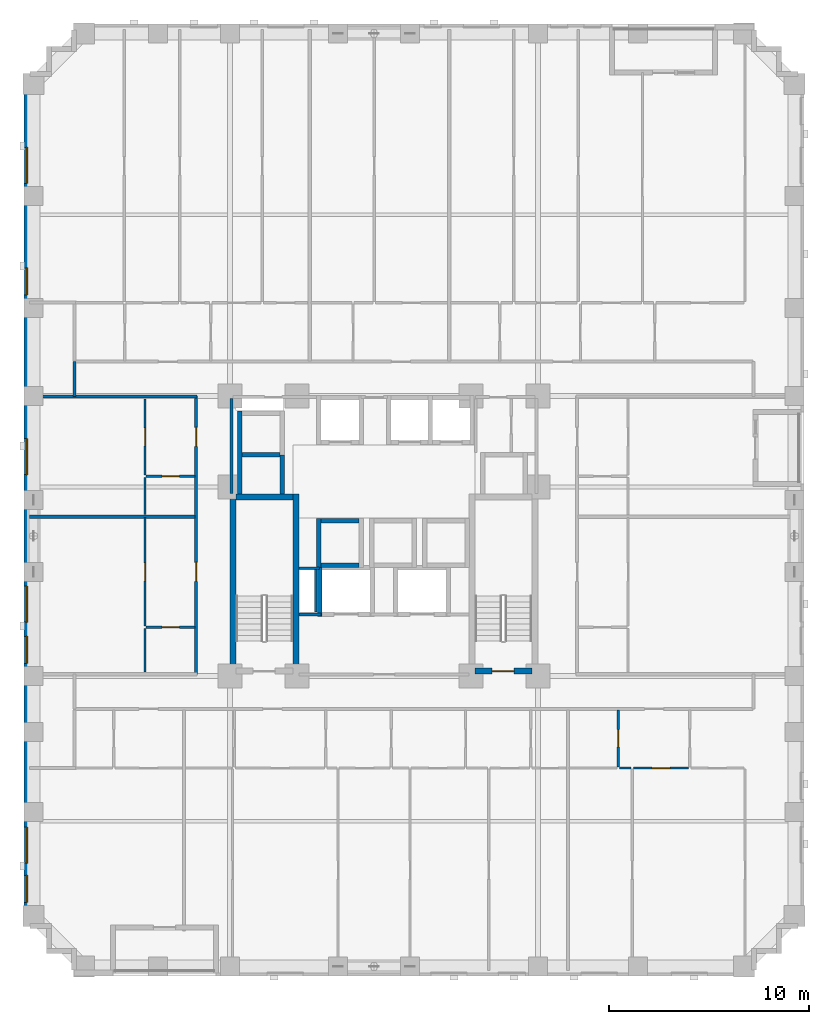
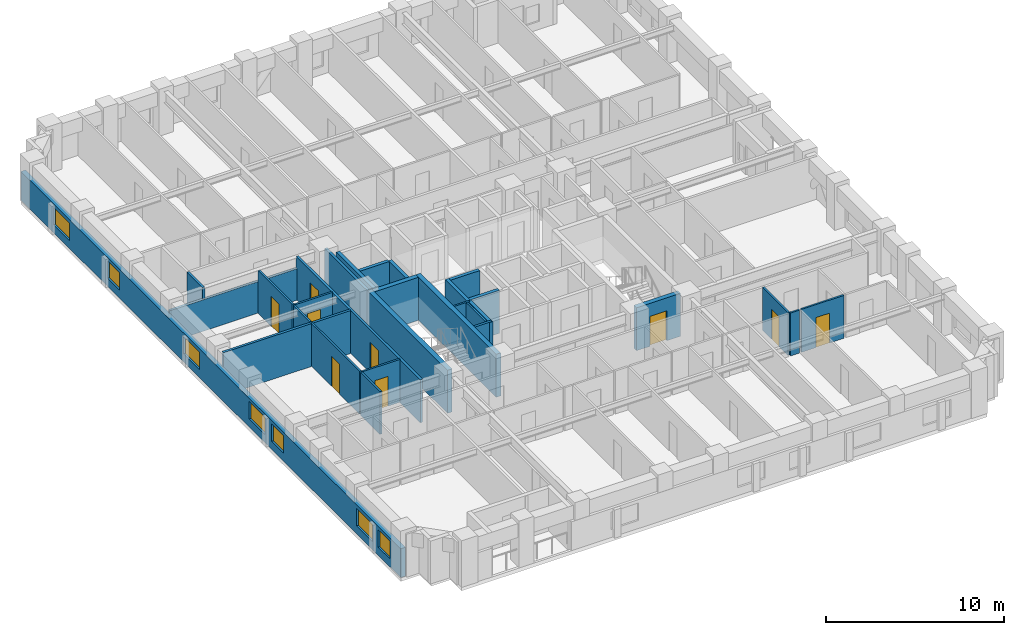
# One storey, part 4 of 13: 29 walls, 9 doors, 7 windows, 16 openings.
"""IFC4 building model written with IfcOpenShell, lengths in metres."""

from ifc_helpers import new_model, si_unit, derived_unit, direction, frame, frame_2d, origin, place, context, subcontext, project, spatial, rectangle, extrude, material, layer, layer_set, type_object, element, fill, save


model = new_model("IFC4")

# Units and contexts
model_context = context("Model", 3, precision=1e-05, world=origin(), true_north=direction((0.0, 1.0)))
body_context = subcontext(model_context, "Body", "Model", "MODEL_VIEW")
ifc_project = project(units=[si_unit("LENGTHUNIT", "METRE"), si_unit("AREAUNIT", "SQUARE_METRE"), si_unit("VOLUMEUNIT", "CUBIC_METRE"), si_unit("PLANEANGLEUNIT", "RADIAN"), si_unit("MASSUNIT", "GRAM", prefix="KILO"), derived_unit("THERMALTRANSMITTANCEUNIT", [(si_unit("MASSUNIT", "GRAM", prefix="KILO"), 1), (si_unit("TIMEUNIT", "SECOND"), -3), (si_unit("THERMODYNAMICTEMPERATUREUNIT", "KELVIN"), -1)])], contexts=[model_context])

# Site, building, storey
site_placement = place(None, origin())
site = spatial("IfcSite", under=ifc_project, at=site_placement, CompositionType="ELEMENT")
building_placement = place(site_placement, origin())
building = spatial("IfcBuilding", under=site, at=building_placement, Name="Korrvale Station Residences", CompositionType="ELEMENT")
storey_placement = place(building_placement, frame((0.0, 0.0, 35.39990234375)))
storey = spatial("IfcBuildingStorey", under=building, at=storey_placement, Name="L08", CompositionType="ELEMENT", Elevation=35.39990234375)

# Walls
ifc_material_1 = material(Name="Concrete C70/85", Category="concrete")
ifc_layer_1 = layer(ifc_material_1, 0.300048828125, Name="Concrete C70/85")
ifc_layer_set_1 = layer_set([ifc_layer_1], Name="Concrete C70/85")
wall_type_1 = type_object("IfcWallType", Name="WAL-CORE-300-C70", PredefinedType="SHEAR", material=ifc_layer_set_1)
for number, where, z_axis, x_axis, name in (
    (1, (17.949951171875, 15.10009765625, 0.0), (0.0, 0.0, 1.0), (0.0, 1.0, 0.0), "L08 ST-1 Core Shear Wall West"),
    (2, (21.10009765625, 15.10009765625, 0.0), (0.0, 0.0, 1.0), (0.0, 1.0, 0.0), "L08 ST-1 Core Shear Wall East"),
):
    element("IfcWall", number, at=place(storey_placement, frame(where, z_axis=z_axis, x_axis=x_axis)), inside=storey, type_object=wall_type_1, Name=name, PredefinedType="SHEAR", context=body_context, shape_type="SweptSolid", body=[
        extrude(rectangle(XDim=9.0, YDim=0.300048828125, at=frame_2d((4.5, 0.0))), origin(), (0.0, 0.0, 1.0), 2.940185546875),
    ])
wall_1_placement = place(storey_placement, frame((18.10009765625, 23.949951171875, 0.0), z_axis=(0.0, 0.0, 1.0), x_axis=(1.0, 0.0, 0.0)))
element("IfcWall", 3, at=wall_1_placement, inside=storey, type_object=wall_type_1, Name="L08 ST-1 Core Shear Wall North", PredefinedType="SHEAR", context=body_context, shape_type="SweptSolid", body=[
    extrude(rectangle(XDim=2.849853515625, YDim=0.300048828125, at=frame_2d((1.4248046875, 0.0))), origin(), (0.0, 0.0, 1.0), 2.940185546875),
])

# Wall, opening, door
wall_2_placement = place(storey_placement, frame((30.050048828125, 15.25, 0.0), z_axis=(0.0, 0.0, 1.0), x_axis=(1.0, 0.0, 0.0)))
wall_2 = element("IfcWall", 4, at=wall_2_placement, inside=storey, type_object=wall_type_1, Name="L08 ST-2 Core Shear Wall South", PredefinedType="SHEAR", context=body_context, shape_type="SweptSolid", body=[
    extrude(rectangle(XDim=2.849853515625, YDim=0.300048828125, at=frame_2d((1.4248046875, 0.0))), origin(), (0.0, 0.0, 1.0), 2.940185546875),
])
opening_1_placement = place(wall_2_placement, frame((0.860107421875, 0.0, 0.0)))
opening_1 = element("IfcOpeningElement", 5, at=opening_1_placement, cuts=wall_2, Name="Opening SD-1100", PredefinedType="OPENING", context=body_context, shape_type="SweptSolid", body=[
    extrude(rectangle(XDim=1.10009765625, YDim=2.050048828125, at=frame_2d((0.550048828125, 1.02490234375))), frame((0.0, 0.16015625, 0.0), z_axis=(0.0, -1.0, 0.0), x_axis=(1.0, 0.0, 0.0)), (0.0, 0.0, 1.0), 0.320068359375),
])
ifc_material_2 = material(Name="Hollow-metal fire-rated stair door with closer", Category="steel")
door_type_1 = type_object("IfcDoorType", Name="DR-STAIR-1100", OperationType="NOTDEFINED", PredefinedType="DOOR", material=ifc_material_2)
door_1_placement = place(opening_1_placement, origin())
door_1 = element("IfcDoor", 6, at=door_1_placement, inside=storey, type_object=door_type_1, Name="L08 ST-2 Exit Stair Door", OperationType="SINGLE_SWING_RIGHT", OverallHeight=2.050048828125, OverallWidth=1.10009765625, PredefinedType="DOOR", context=body_context, shape_type="SweptSolid", body=[
    extrude(rectangle(XDim=1.10009765625, YDim=2.050048828125, at=frame_2d((0.550048828125, 1.02490234375))), frame((0.0, 0.02490234375, 0.0), z_axis=(0.0, -1.0, 0.0), x_axis=(1.0, 0.0, 0.0)), (0.0, 0.0, 1.0), 0.050048828125),
])
fill(opening_1, door_1)

# Wall, openings, windows
ifc_material_3 = material(Name="Precast concrete C45/55", Category="concrete")
ifc_layer_2 = layer(ifc_material_3, 0.300048828125, Name="Precast concrete C45/55")
ifc_layer_set_2 = layer_set([ifc_layer_2], Name="Precast concrete C45/55")
wall_type_2 = type_object("IfcWallType", Name="WAL-EXT-PC300", PredefinedType="SOLIDWALL", material=ifc_layer_set_2)
wall_3_placement = place(storey_placement, frame((7.64990234375, 2.5, 0.0), z_axis=(0.0, 0.0, 1.0), x_axis=(0.0, 1.0, 0.0)))
wall_3 = element("IfcWall", 7, at=wall_3_placement, inside=storey, type_object=wall_type_2, Name="L08 West Exterior Precast Wall 1", PredefinedType="SOLIDWALL", context=body_context, shape_type="SweptSolid", body=[
    extrude(rectangle(XDim=42.60009765625, YDim=0.300048828125, at=frame_2d((21.300048828125, 0.0))), origin(), (0.0, 0.0, 1.0), 1.97509765625),
])
opening_2_placement = place(wall_3_placement, frame((3.14990234375, 0.0, 0.550048828125)))
opening_2 = element("IfcOpeningElement", 8, at=opening_2_placement, cuts=wall_3, Name="Opening W-09", PredefinedType="OPENING", context=body_context, shape_type="SweptSolid", body=[
    extrude(rectangle(XDim=1.800048828125, YDim=1.199951171875, at=frame_2d((0.89990234375, 0.60009765625))), frame((0.0, 0.16015625, 0.0), z_axis=(0.0, -1.0, 0.0), x_axis=(1.0, 0.0, 0.0)), (0.0, 0.0, 1.0), 0.320068359375),
])
opening_3_placement = place(wall_3_placement, frame((1.18505859375, 0.0, 0.550048828125)))
opening_3 = element("IfcOpeningElement", 9, at=opening_3_placement, cuts=wall_3, Name="Opening W-10", PredefinedType="OPENING", context=body_context, shape_type="SweptSolid", body=[
    extrude(rectangle(XDim=1.35009765625, YDim=1.199951171875, at=frame_2d((0.675048828125, 0.60009765625))), frame((0.0, 0.16015625, 0.0), z_axis=(0.0, -1.0, 0.0), x_axis=(1.0, 0.0, 0.0)), (0.0, 0.0, 1.0), 0.320068359375),
])
opening_4_placement = place(wall_3_placement, frame((37.135009765625, 0.0, 0.550048828125)))
opening_4 = element("IfcOpeningElement", 10, at=opening_4_placement, cuts=wall_3, Name="Opening W-09", PredefinedType="OPENING", context=body_context, shape_type="SweptSolid", body=[
    extrude(rectangle(XDim=1.800048828125, YDim=1.199951171875, at=frame_2d((0.89990234375, 0.60009765625))), frame((0.0, 0.16015625, 0.0), z_axis=(0.0, -1.0, 0.0), x_axis=(1.0, 0.0, 0.0)), (0.0, 0.0, 1.0), 0.320068359375),
])
opening_5_placement = place(wall_3_placement, frame((31.550048828125, 0.0, 0.550048828125)))
opening_5 = element("IfcOpeningElement", 11, at=opening_5_placement, cuts=wall_3, Name="Opening W-10", PredefinedType="OPENING", context=body_context, shape_type="SweptSolid", body=[
    extrude(rectangle(XDim=1.35009765625, YDim=1.199951171875, at=frame_2d((0.675048828125, 0.60009765625))), frame((0.0, 0.16015625, 0.0), z_axis=(0.0, -1.0, 0.0), x_axis=(1.0, 0.0, 0.0)), (0.0, 0.0, 1.0), 0.320068359375),
])
opening_6_placement = place(wall_3_placement, frame((15.199951171875, 0.0, 0.550048828125)))
opening_6 = element("IfcOpeningElement", 12, at=opening_6_placement, cuts=wall_3, Name="Opening W-09", PredefinedType="OPENING", context=body_context, shape_type="SweptSolid", body=[
    extrude(rectangle(XDim=1.800048828125, YDim=1.199951171875, at=frame_2d((0.89990234375, 0.60009765625))), frame((0.0, 0.16015625, 0.0), z_axis=(0.0, -1.0, 0.0), x_axis=(1.0, 0.0, 0.0)), (0.0, 0.0, 1.0), 0.320068359375),
])
opening_7_placement = place(wall_3_placement, frame((13.135009765625, 0.0, 0.550048828125)))
opening_7 = element("IfcOpeningElement", 13, at=opening_7_placement, cuts=wall_3, Name="Opening W-10", PredefinedType="OPENING", context=body_context, shape_type="SweptSolid", body=[
    extrude(rectangle(XDim=1.35009765625, YDim=1.199951171875, at=frame_2d((0.675048828125, 0.60009765625))), frame((0.0, 0.16015625, 0.0), z_axis=(0.0, -1.0, 0.0), x_axis=(1.0, 0.0, 0.0)), (0.0, 0.0, 1.0), 0.320068359375),
])
opening_8_placement = place(wall_3_placement, frame((22.574951171875, 0.0, 0.550048828125)))
opening_8 = element("IfcOpeningElement", 14, at=opening_8_placement, cuts=wall_3, Name="Opening W-09", PredefinedType="OPENING", context=body_context, shape_type="SweptSolid", body=[
    extrude(rectangle(XDim=1.800048828125, YDim=1.199951171875, at=frame_2d((0.89990234375, 0.60009765625))), frame((0.0, 0.16015625, 0.0), z_axis=(0.0, -1.0, 0.0), x_axis=(1.0, 0.0, 0.0)), (0.0, 0.0, 1.0), 0.320068359375),
])
ifc_material_4 = material(Name="Thermally broken aluminium frame with triple low-e glazing", Category="aluminium")
window_type_1 = type_object("IfcWindowType", Name="WIN-W09", PartitioningType="DOUBLE_PANEL_VERTICAL", PredefinedType="WINDOW", material=ifc_material_4)
window_1_placement = place(opening_2_placement, origin())
window_1 = element("IfcWindow", 15, at=window_1_placement, inside=storey, type_object=window_type_1, Name="L08 Punched Window 01", OverallHeight=1.199951171875, OverallWidth=1.800048828125, PartitioningType="DOUBLE_PANEL_VERTICAL", PredefinedType="WINDOW", context=body_context, shape_type="SweptSolid", body=[
    extrude(rectangle(XDim=1.800048828125, YDim=1.199951171875, at=frame_2d((0.89990234375, 0.60009765625))), frame((0.0, 0.030029296875, 0.0), z_axis=(0.0, -1.0, 0.0), x_axis=(1.0, 0.0, 0.0)), (0.0, 0.0, 1.0), 0.06005859375),
])
fill(opening_2, window_1)
window_2_placement = place(opening_4_placement, origin())
window_2 = element("IfcWindow", 16, at=window_2_placement, inside=storey, type_object=window_type_1, Name="L08 Punched Window 10", OverallHeight=1.199951171875, OverallWidth=1.800048828125, PartitioningType="DOUBLE_PANEL_VERTICAL", PredefinedType="WINDOW", context=body_context, shape_type="SweptSolid", body=[
    extrude(rectangle(XDim=1.800048828125, YDim=1.199951171875, at=frame_2d((0.89990234375, 0.60009765625))), frame((0.0, 0.030029296875, 0.0), z_axis=(0.0, -1.0, 0.0), x_axis=(1.0, 0.0, 0.0)), (0.0, 0.0, 1.0), 0.06005859375),
])
fill(opening_4, window_2)
window_3_placement = place(opening_6_placement, origin())
window_3 = element("IfcWindow", 17, at=window_3_placement, inside=storey, type_object=window_type_1, Name="L08 Punched Window 21", OverallHeight=1.199951171875, OverallWidth=1.800048828125, PartitioningType="DOUBLE_PANEL_VERTICAL", PredefinedType="WINDOW", context=body_context, shape_type="SweptSolid", body=[
    extrude(rectangle(XDim=1.800048828125, YDim=1.199951171875, at=frame_2d((0.89990234375, 0.60009765625))), frame((0.0, 0.030029296875, 0.0), z_axis=(0.0, -1.0, 0.0), x_axis=(1.0, 0.0, 0.0)), (0.0, 0.0, 1.0), 0.06005859375),
])
fill(opening_6, window_3)
window_4_placement = place(opening_8_placement, origin())
window_4 = element("IfcWindow", 18, at=window_4_placement, inside=storey, type_object=window_type_1, Name="L08 Punched Window 23", OverallHeight=1.199951171875, OverallWidth=1.800048828125, PartitioningType="DOUBLE_PANEL_VERTICAL", PredefinedType="WINDOW", context=body_context, shape_type="SweptSolid", body=[
    extrude(rectangle(XDim=1.800048828125, YDim=1.199951171875, at=frame_2d((0.89990234375, 0.60009765625))), frame((0.0, 0.030029296875, 0.0), z_axis=(0.0, -1.0, 0.0), x_axis=(1.0, 0.0, 0.0)), (0.0, 0.0, 1.0), 0.06005859375),
])
fill(opening_8, window_4)
window_type_2 = type_object("IfcWindowType", Name="WIN-W10", PartitioningType="SINGLE_PANEL", PredefinedType="WINDOW", material=ifc_material_4)
window_5_placement = place(opening_3_placement, origin())
window_5 = element("IfcWindow", 19, at=window_5_placement, inside=storey, type_object=window_type_2, Name="L08 Punched Window 02", OverallHeight=1.199951171875, OverallWidth=1.35009765625, PartitioningType="SINGLE_PANEL", PredefinedType="WINDOW", context=body_context, shape_type="SweptSolid", body=[
    extrude(rectangle(XDim=1.35009765625, YDim=1.199951171875, at=frame_2d((0.675048828125, 0.60009765625))), frame((0.0, 0.030029296875, 0.0), z_axis=(0.0, -1.0, 0.0), x_axis=(1.0, 0.0, 0.0)), (0.0, 0.0, 1.0), 0.06005859375),
])
fill(opening_3, window_5)
window_6_placement = place(opening_5_placement, origin())
window_6 = element("IfcWindow", 20, at=window_6_placement, inside=storey, type_object=window_type_2, Name="L08 Punched Window 11", OverallHeight=1.199951171875, OverallWidth=1.35009765625, PartitioningType="SINGLE_PANEL", PredefinedType="WINDOW", context=body_context, shape_type="SweptSolid", body=[
    extrude(rectangle(XDim=1.35009765625, YDim=1.199951171875, at=frame_2d((0.675048828125, 0.60009765625))), frame((0.0, 0.030029296875, 0.0), z_axis=(0.0, -1.0, 0.0), x_axis=(1.0, 0.0, 0.0)), (0.0, 0.0, 1.0), 0.06005859375),
])
fill(opening_5, window_6)
window_7_placement = place(opening_7_placement, origin())
window_7 = element("IfcWindow", 21, at=window_7_placement, inside=storey, type_object=window_type_2, Name="L08 Punched Window 22", OverallHeight=1.199951171875, OverallWidth=1.35009765625, PartitioningType="SINGLE_PANEL", PredefinedType="WINDOW", context=body_context, shape_type="SweptSolid", body=[
    extrude(rectangle(XDim=1.35009765625, YDim=1.199951171875, at=frame_2d((0.675048828125, 0.60009765625))), frame((0.0, 0.030029296875, 0.0), z_axis=(0.0, -1.0, 0.0), x_axis=(1.0, 0.0, 0.0)), (0.0, 0.0, 1.0), 0.06005859375),
])
fill(opening_7, window_7)

# Walls
ifc_material_5 = material(Name="Acoustic steel-stud gypsum board partition", Category="steel")
ifc_layer_3 = layer(ifc_material_5, 0.1201171875, Name="Acoustic steel-stud gypsum board partition")
ifc_layer_set_3 = layer_set([ifc_layer_3], Name="Acoustic steel-stud gypsum board partition")
wall_type_3 = type_object("IfcWallType", Name="WAL-PART-125", PredefinedType="PARTITIONING", material=ifc_layer_set_3)
wall_4_placement = place(storey_placement, frame((22.080078125, 18.199951171875, 0.0), z_axis=(0.0, 0.0, 1.0), x_axis=(0.0, 1.0, 0.0)))
element("IfcWall", 22, at=wall_4_placement, inside=storey, type_object=wall_type_3, Name="L08 Core Partition CW-RSWT", PredefinedType="PARTITIONING", context=body_context, shape_type="SweptSolid", body=[
    extrude(rectangle(XDim=2.1201171875, YDim=0.1201171875, at=frame_2d((1.06005859375, 0.0))), origin(), (0.0, 0.0, 1.0), 2.940185546875),
])
wall_5_placement = place(storey_placement, frame((22.280029296875, 20.3798828125, 0.0), z_axis=(0.0, 0.0, 1.0), x_axis=(-1.0, 0.0, 0.0)))
element("IfcWall", 23, at=wall_5_placement, inside=storey, type_object=wall_type_3, Name="L08 Core Partition CW-RSWT-N", PredefinedType="PARTITIONING", context=body_context, shape_type="SweptSolid", body=[
    extrude(rectangle(XDim=1.02001953125, YDim=0.1201171875, at=frame_2d((0.510009765625, 0.0))), origin(), (0.0, 0.0, 1.0), 2.940185546875),
])

# Wall, opening, door
wall_6_placement = place(storey_placement, frame((37.216064453125, 10.4599609375, 0.0), z_axis=(0.0, 0.0, 1.0), x_axis=(0.0, 1.0, 0.0)))
wall_6 = element("IfcWall", 24, at=wall_6_placement, inside=storey, type_object=wall_type_3, Name="L08 Suite Partition U03-V01", PredefinedType="PARTITIONING", context=body_context, shape_type="SweptSolid", body=[
    extrude(rectangle(XDim=2.85009765625, YDim=0.1201171875, at=frame_2d((1.425048828125, 0.0))), origin(), (0.0, 0.0, 1.0), 2.940185546875),
])
opening_9_placement = place(wall_6_placement, frame((0.9951171875, 0.0, 0.0)))
opening_9 = element("IfcOpeningElement", 25, at=opening_9_placement, cuts=wall_6, Name="Opening DB-860", PredefinedType="OPENING", context=body_context, shape_type="SweptSolid", body=[
    extrude(rectangle(XDim=0.860107421875, YDim=2.050048828125, at=frame_2d((0.43017578125, 1.02490234375))), frame((0.0, 0.070068359375, 0.0), z_axis=(0.0, -1.0, 0.0), x_axis=(1.0, 0.0, 0.0)), (0.0, 0.0, 1.0), 0.14013671875),
])
ifc_material_6 = material(Name="Moisture-resistant solid-core bathroom door", Category="timber")
door_type_2 = type_object("IfcDoorType", Name="DR-BATH-860", OperationType="NOTDEFINED", PredefinedType="DOOR", material=ifc_material_6)
door_2_placement = place(opening_9_placement, origin())
door_2 = element("IfcDoor", 26, at=door_2_placement, inside=storey, type_object=door_type_2, Name="L08 Studio Apartment L08-U03 Bathroom Door", OperationType="SINGLE_SWING_RIGHT", OverallHeight=2.050048828125, OverallWidth=0.860107421875, PredefinedType="DOOR", context=body_context, shape_type="SweptSolid", body=[
    extrude(rectangle(XDim=0.860107421875, YDim=2.050048828125, at=frame_2d((0.43017578125, 1.02490234375))), frame((0.0, 0.02490234375, 0.0), z_axis=(0.0, -1.0, 0.0), x_axis=(1.0, 0.0, 0.0)), (0.0, 0.0, 1.0), 0.050048828125),
])
fill(opening_9, door_2)

# Wall
wall_7_placement = place(storey_placement, frame((37.27587890625, 10.39990234375, 0.0), z_axis=(0.0, 0.0, 1.0), x_axis=(1.0, 0.0, 0.0)))
element("IfcWall", 27, at=wall_7_placement, inside=storey, type_object=wall_type_3, Name="L08 Suite Partition U03-H13", PredefinedType="PARTITIONING", context=body_context, shape_type="SweptSolid", body=[
    extrude(rectangle(XDim=0.580078125, YDim=0.1201171875, at=frame_2d((0.2900390625, 0.0))), origin(), (0.0, 0.0, 1.0), 2.940185546875),
])

# Wall, opening, door
wall_8_placement = place(storey_placement, frame((37.97607421875, 10.39990234375, 0.0), z_axis=(0.0, 0.0, 1.0), x_axis=(1.0, 0.0, 0.0)))
wall_8 = element("IfcWall", 28, at=wall_8_placement, inside=storey, type_object=wall_type_3, Name="L08 Suite Partition U03-H14", PredefinedType="PARTITIONING", context=body_context, shape_type="SweptSolid", body=[
    extrude(rectangle(XDim=2.75, YDim=0.1201171875, at=frame_2d((1.375, 0.0))), origin(), (0.0, 0.0, 1.0), 2.940185546875),
])
opening_10_placement = place(wall_8_placement, frame((0.925048828125, 0.0, 0.0)))
opening_10 = element("IfcOpeningElement", 29, at=opening_10_placement, cuts=wall_8, Name="Opening DI-900", PredefinedType="OPENING", context=body_context, shape_type="SweptSolid", body=[
    extrude(rectangle(XDim=0.89990234375, YDim=2.050048828125, at=frame_2d((0.449951171875, 1.02490234375))), frame((0.0, 0.070068359375, 0.0), z_axis=(0.0, -1.0, 0.0), x_axis=(1.0, 0.0, 0.0)), (0.0, 0.0, 1.0), 0.14013671875),
])
ifc_material_7 = material(Name="Painted solid-core timber interior room door", Category="wood")
door_type_3 = type_object("IfcDoorType", Name="DR-INT-900", OperationType="NOTDEFINED", PredefinedType="DOOR", material=ifc_material_7)
door_3_placement = place(opening_10_placement, origin())
door_3 = element("IfcDoor", 30, at=door_3_placement, inside=storey, type_object=door_type_3, Name="L08 Studio Apartment L08-U03 Kitchen Door", OperationType="SINGLE_SWING_RIGHT", OverallHeight=2.050048828125, OverallWidth=0.89990234375, PredefinedType="DOOR", context=body_context, shape_type="SweptSolid", body=[
    extrude(rectangle(XDim=0.89990234375, YDim=2.050048828125, at=frame_2d((0.449951171875, 1.02490234375))), frame((0.0, 0.02490234375, 0.0), z_axis=(0.0, -1.0, 0.0), x_axis=(1.0, 0.0, 0.0)), (0.0, 0.0, 1.0), 0.050048828125),
])
fill(opening_10, door_3)

wall_9_placement = place(storey_placement, frame((13.610107421875, 17.428955078125, 0.0), z_axis=(0.0, 0.0, 1.0), x_axis=(1.0, 0.0, 0.0)))
wall_9 = element("IfcWall", 31, at=wall_9_placement, inside=storey, type_object=wall_type_3, Name="L08 Suite Partition U07-H01", PredefinedType="PARTITIONING", context=body_context, shape_type="SweptSolid", body=[
    extrude(rectangle(XDim=2.449951171875, YDim=0.1201171875, at=frame_2d((1.22509765625, 0.0))), origin(), (0.0, 0.0, 1.0), 2.940185546875),
])
opening_11_placement = place(wall_9_placement, frame((0.794921875, 0.0, 0.0)))
opening_11 = element("IfcOpeningElement", 32, at=opening_11_placement, cuts=wall_9, Name="Opening DB-860", PredefinedType="OPENING", context=body_context, shape_type="SweptSolid", body=[
    extrude(rectangle(XDim=0.860107421875, YDim=2.050048828125, at=frame_2d((0.43017578125, 1.02490234375))), frame((0.0, 0.070068359375, 0.0), z_axis=(0.0, -1.0, 0.0), x_axis=(1.0, 0.0, 0.0)), (0.0, 0.0, 1.0), 0.14013671875),
])
door_4_placement = place(opening_11_placement, origin())
door_4 = element("IfcDoor", 33, at=door_4_placement, inside=storey, type_object=door_type_2, Name="L08 Apartment 1BR L08-U07 Bathroom Door", OperationType="SINGLE_SWING_RIGHT", OverallHeight=2.050048828125, OverallWidth=0.860107421875, PredefinedType="DOOR", context=body_context, shape_type="SweptSolid", body=[
    extrude(rectangle(XDim=0.860107421875, YDim=2.050048828125, at=frame_2d((0.43017578125, 1.02490234375))), frame((0.0, 0.02490234375, 0.0), z_axis=(0.0, -1.0, 0.0), x_axis=(1.0, 0.0, 0.0)), (0.0, 0.0, 1.0), 0.050048828125),
])
fill(opening_11, door_4)

# Wall
wall_10_placement = place(storey_placement, frame((13.550048828125, 15.2099609375, 0.0), z_axis=(0.0, 0.0, 1.0), x_axis=(0.0, 1.0, 0.0)))
element("IfcWall", 34, at=wall_10_placement, inside=storey, type_object=wall_type_3, Name="L08 Suite Partition U07-V02", PredefinedType="PARTITIONING", context=body_context, shape_type="SweptSolid", body=[
    extrude(rectangle(XDim=2.158935546875, YDim=0.1201171875, at=frame_2d((1.07958984375, 0.0))), origin(), (0.0, 0.0, 1.0), 2.940185546875),
])

# Wall, opening, door
wall_11_placement = place(storey_placement, frame((13.550048828125, 17.489013671875, 0.0), z_axis=(0.0, 0.0, 1.0), x_axis=(0.0, 1.0, 0.0)))
wall_11 = element("IfcWall", 35, at=wall_11_placement, inside=storey, type_object=wall_type_3, Name="L08 Suite Partition U07-V12", PredefinedType="PARTITIONING", context=body_context, shape_type="SweptSolid", body=[
    extrude(rectangle(XDim=5.43310546875, YDim=0.1201171875, at=frame_2d((2.716552734375, 0.0))), origin(), (0.0, 0.0, 1.0), 2.940185546875),
])
opening_12_placement = place(wall_11_placement, frame((2.26611328125, 0.0, 0.0)))
opening_12 = element("IfcOpeningElement", 36, at=opening_12_placement, cuts=wall_11, Name="Opening DI-900", PredefinedType="OPENING", context=body_context, shape_type="SweptSolid", body=[
    extrude(rectangle(XDim=0.89990234375, YDim=2.050048828125, at=frame_2d((0.449951171875, 1.02490234375))), frame((0.0, 0.070068359375, 0.0), z_axis=(0.0, -1.0, 0.0), x_axis=(1.0, 0.0, 0.0)), (0.0, 0.0, 1.0), 0.14013671875),
])
door_5_placement = place(opening_12_placement, origin())
door_5 = element("IfcDoor", 37, at=door_5_placement, inside=storey, type_object=door_type_3, Name="L08 Apartment 1BR L08-U07 Kitchen Door", OperationType="SINGLE_SWING_LEFT", OverallHeight=2.050048828125, OverallWidth=0.89990234375, PredefinedType="DOOR", context=body_context, shape_type="SweptSolid", body=[
    extrude(rectangle(XDim=0.89990234375, YDim=2.050048828125, at=frame_2d((0.449951171875, 1.02490234375))), frame((0.0, 0.02490234375, 0.0), z_axis=(0.0, -1.0, 0.0), x_axis=(1.0, 0.0, 0.0)), (0.0, 0.0, 1.0), 0.050048828125),
])
fill(opening_12, door_5)

wall_12_placement = place(storey_placement, frame((13.610107421875, 24.991943359375, 0.0), z_axis=(0.0, 0.0, 1.0), x_axis=(1.0, 0.0, 0.0)))
wall_12 = element("IfcWall", 38, at=wall_12_placement, inside=storey, type_object=wall_type_3, Name="L08 Suite Partition U08-H01", PredefinedType="PARTITIONING", context=body_context, shape_type="SweptSolid", body=[
    extrude(rectangle(XDim=2.449951171875, YDim=0.1201171875, at=frame_2d((1.22509765625, 0.0))), origin(), (0.0, 0.0, 1.0), 2.940185546875),
])
opening_13_placement = place(wall_12_placement, frame((0.794921875, 0.0, 0.0)))
opening_13 = element("IfcOpeningElement", 39, at=opening_13_placement, cuts=wall_12, Name="Opening DB-860", PredefinedType="OPENING", context=body_context, shape_type="SweptSolid", body=[
    extrude(rectangle(XDim=0.860107421875, YDim=2.050048828125, at=frame_2d((0.43017578125, 1.02490234375))), frame((0.0, 0.070068359375, 0.0), z_axis=(0.0, -1.0, 0.0), x_axis=(1.0, 0.0, 0.0)), (0.0, 0.0, 1.0), 0.14013671875),
])
door_6_placement = place(opening_13_placement, origin())
door_6 = element("IfcDoor", 40, at=door_6_placement, inside=storey, type_object=door_type_2, Name="L08 Apartment 1BR L08-U08 Bathroom Door", OperationType="SINGLE_SWING_RIGHT", OverallHeight=2.050048828125, OverallWidth=0.860107421875, PredefinedType="DOOR", context=body_context, shape_type="SweptSolid", body=[
    extrude(rectangle(XDim=0.860107421875, YDim=2.050048828125, at=frame_2d((0.43017578125, 1.02490234375))), frame((0.0, 0.02490234375, 0.0), z_axis=(0.0, -1.0, 0.0), x_axis=(1.0, 0.0, 0.0)), (0.0, 0.0, 1.0), 0.050048828125),
])
fill(opening_13, door_6)

# Wall
wall_13_placement = place(storey_placement, frame((13.550048828125, 23.08203125, 0.0), z_axis=(0.0, 0.0, 1.0), x_axis=(0.0, 1.0, 0.0)))
element("IfcWall", 41, at=wall_13_placement, inside=storey, type_object=wall_type_3, Name="L08 Suite Partition U08-V02", PredefinedType="PARTITIONING", context=body_context, shape_type="SweptSolid", body=[
    extrude(rectangle(XDim=1.849853515625, YDim=0.1201171875, at=frame_2d((0.9248046875, 0.0))), origin(), (0.0, 0.0, 1.0), 2.940185546875),
])

# Wall, opening, door
wall_14_placement = place(storey_placement, frame((13.550048828125, 25.052001953125, 0.0), z_axis=(0.0, 0.0, 1.0), x_axis=(0.0, 1.0, 0.0)))
wall_14 = element("IfcWall", 42, at=wall_14_placement, inside=storey, type_object=wall_type_3, Name="L08 Suite Partition U08-V12", PredefinedType="PARTITIONING", context=body_context, shape_type="SweptSolid", body=[
    extrude(rectangle(XDim=3.80810546875, YDim=0.1201171875, at=frame_2d((1.904052734375, 0.0))), origin(), (0.0, 0.0, 1.0), 2.940185546875),
])
opening_14_placement = place(wall_14_placement, frame((1.4541015625, 0.0, 0.0)))
opening_14 = element("IfcOpeningElement", 43, at=opening_14_placement, cuts=wall_14, Name="Opening DI-900", PredefinedType="OPENING", context=body_context, shape_type="SweptSolid", body=[
    extrude(rectangle(XDim=0.89990234375, YDim=2.050048828125, at=frame_2d((0.449951171875, 1.02490234375))), frame((0.0, 0.070068359375, 0.0), z_axis=(0.0, -1.0, 0.0), x_axis=(1.0, 0.0, 0.0)), (0.0, 0.0, 1.0), 0.14013671875),
])
door_7_placement = place(opening_14_placement, origin())
door_7 = element("IfcDoor", 44, at=door_7_placement, inside=storey, type_object=door_type_3, Name="L08 Apartment 1BR L08-U08 Kitchen Door", OperationType="SINGLE_SWING_LEFT", OverallHeight=2.050048828125, OverallWidth=0.89990234375, PredefinedType="DOOR", context=body_context, shape_type="SweptSolid", body=[
    extrude(rectangle(XDim=0.89990234375, YDim=2.050048828125, at=frame_2d((0.449951171875, 1.02490234375))), frame((0.0, 0.02490234375, 0.0), z_axis=(0.0, -1.0, 0.0), x_axis=(1.0, 0.0, 0.0)), (0.0, 0.0, 1.0), 0.050048828125),
])
fill(opening_14, door_7)

# Walls
ifc_material_8 = material(Name="Fire-rated twin-stud gypsum and mineral wool shaftwall assembly", Category="gypsum")
ifc_layer_4 = layer(ifc_material_8, 0.159912109375, Name="Fire-rated twin-stud gypsum and mineral wool shaftwall assembly")
ifc_layer_set_4 = layer_set([ifc_layer_4], Name="Fire-rated twin-stud gypsum and mineral wool shaftwall assembly")
wall_type_4 = type_object("IfcWallType", Name="WAL-PART-200", PredefinedType="PARTITIONING", material=ifc_layer_set_4)
wall_15_placement = place(storey_placement, frame((21.25, 18.080078125, 0.0), z_axis=(0.0, 0.0, 1.0), x_axis=(1.0, 0.0, 0.0)))
element("IfcWall", 45, at=wall_15_placement, inside=storey, type_object=wall_type_4, Name="L08 Core Partition CW-FFL-N1", PredefinedType="PARTITIONING", context=body_context, shape_type="SweptSolid", body=[
    extrude(rectangle(XDim=1.10009765625, YDim=0.159912109375, at=frame_2d((0.550048828125, 0.0))), origin(), (0.0, 0.0, 1.0), 2.940185546875),
])
wall_16_placement = place(storey_placement, frame((17.8798828125, 24.1201171875, 0.0), z_axis=(0.0, 0.0, 1.0), x_axis=(0.0, 1.0, 0.0)))
element("IfcWall", 46, at=wall_16_placement, inside=storey, type_object=wall_type_4, Name="L08 Core Partition CW-W-N", PredefinedType="PARTITIONING", context=body_context, shape_type="SweptSolid", body=[
    extrude(rectangle(XDim=4.759765625, YDim=0.159912109375, at=frame_2d((2.3798828125, 0.0))), origin(), (0.0, 0.0, 1.0), 2.940185546875),
])
wall_17_placement = place(storey_placement, frame((10.02001953125, 28.97998046875, 0.0), z_axis=(0.0, 0.0, 1.0), x_axis=(0.0, 1.0, 0.0)))
element("IfcWall", 47, at=wall_17_placement, inside=storey, type_object=wall_type_4, Name="L08 Corridor North West Cap", PredefinedType="PARTITIONING", context=body_context, shape_type="SweptSolid", body=[
    extrude(rectangle(XDim=1.739990234375, YDim=0.159912109375, at=frame_2d((0.8701171875, 0.0))), origin(), (0.0, 0.0, 1.0), 2.940185546875),
])
wall_18_placement = place(storey_placement, frame((7.780029296875, 28.97998046875, 0.0), z_axis=(0.0, 0.0, 1.0), x_axis=(1.0, 0.0, 0.0)))
element("IfcWall", 48, at=wall_18_placement, inside=storey, type_object=wall_type_4, Name="L08 West Wing North Corridor Wall", PredefinedType="PARTITIONING", context=body_context, shape_type="SweptSolid", body=[
    extrude(rectangle(XDim=8.35986328125, YDim=0.159912109375, at=frame_2d((4.179931640625, 0.0))), origin(), (0.0, 0.0, 1.0), 2.155029296875),
])
wall_19_placement = place(storey_placement, frame((7.780029296875, 22.9619140625, 0.0), z_axis=(0.0, 0.0, 1.0), x_axis=(1.0, 0.0, 0.0)))
element("IfcWall", 49, at=wall_19_placement, inside=storey, type_object=wall_type_4, Name="L08 Demising Wall U07-N", PredefinedType="PARTITIONING", context=body_context, shape_type="SweptSolid", body=[
    extrude(rectangle(XDim=8.280029296875, YDim=0.159912109375, at=frame_2d((4.14013671875, 0.0))), origin(), (0.0, 0.0, 1.0), 2.940185546875),
])

# Wall, openings, doors
wall_20_placement = place(storey_placement, frame((16.10009765625, 15.070068359375, 0.0), z_axis=(0.0, 0.0, 1.0), x_axis=(0.0, 1.0, 0.0)))
wall_20 = element("IfcWall", 50, at=wall_20_placement, inside=storey, type_object=wall_type_4, Name="L08 Rated Corridor Wall W", PredefinedType="PARTITIONING", context=body_context, shape_type="SweptSolid", body=[
    extrude(rectangle(XDim=13.929931640625, YDim=0.159912109375, at=frame_2d((6.96484375, 0.0))), origin(), (0.0, 0.0, 1.0), 2.940185546875),
])
opening_15_placement = place(wall_20_placement, frame((4.660888671875, 0.0, 0.0)))
opening_15 = element("IfcOpeningElement", 51, at=opening_15_placement, cuts=wall_20, Name="Opening UD-950", PredefinedType="OPENING", context=body_context, shape_type="SweptSolid", body=[
    extrude(rectangle(XDim=0.949951171875, YDim=2.10009765625, at=frame_2d((0.47509765625, 1.050048828125))), frame((0.0, 0.08984375, 0.0), z_axis=(0.0, -1.0, 0.0), x_axis=(1.0, 0.0, 0.0)), (0.0, 0.0, 1.0), 0.179931640625),
])
opening_16_placement = place(wall_20_placement, frame((11.410888671875, 0.0, 0.0)))
opening_16 = element("IfcOpeningElement", 52, at=opening_16_placement, cuts=wall_20, Name="Opening UD-950", PredefinedType="OPENING", context=body_context, shape_type="SweptSolid", body=[
    extrude(rectangle(XDim=0.949951171875, YDim=2.10009765625, at=frame_2d((0.47509765625, 1.050048828125))), frame((0.0, 0.08984375, 0.0), z_axis=(0.0, -1.0, 0.0), x_axis=(1.0, 0.0, 0.0)), (0.0, 0.0, 1.0), 0.179931640625),
])
ifc_material_9 = material(Name="Solid-core acoustic oak apartment entrance door", Category="timber")
door_type_4 = type_object("IfcDoorType", Name="DR-UNIT-950", OperationType="NOTDEFINED", PredefinedType="DOOR", material=ifc_material_9)
door_8_placement = place(opening_15_placement, origin())
door_8 = element("IfcDoor", 53, at=door_8_placement, inside=storey, type_object=door_type_4, Name="L08 Apartment L08-U07 Entrance Door", OperationType="SINGLE_SWING_RIGHT", OverallHeight=2.10009765625, OverallWidth=0.949951171875, PredefinedType="DOOR", context=body_context, shape_type="SweptSolid", body=[
    extrude(rectangle(XDim=0.949951171875, YDim=2.10009765625, at=frame_2d((0.47509765625, 1.050048828125))), frame((0.0, 0.02490234375, 0.0), z_axis=(0.0, -1.0, 0.0), x_axis=(1.0, 0.0, 0.0)), (0.0, 0.0, 1.0), 0.050048828125),
])
fill(opening_15, door_8)
door_9_placement = place(opening_16_placement, origin())
door_9 = element("IfcDoor", 54, at=door_9_placement, inside=storey, type_object=door_type_4, Name="L08 Apartment L08-U08 Entrance Door", OperationType="SINGLE_SWING_LEFT", OverallHeight=2.10009765625, OverallWidth=0.949951171875, PredefinedType="DOOR", context=body_context, shape_type="SweptSolid", body=[
    extrude(rectangle(XDim=0.949951171875, YDim=2.10009765625, at=frame_2d((0.47509765625, 1.050048828125))), frame((0.0, 0.02490234375, 0.0), z_axis=(0.0, -1.0, 0.0), x_axis=(1.0, 0.0, 0.0)), (0.0, 0.0, 1.0), 0.050048828125),
])
fill(opening_16, door_9)

# Walls
ifc_layer_5 = layer(ifc_material_1, 0.219970703125, Name="Concrete C70/85")
ifc_layer_set_5 = layer_set([ifc_layer_5], Name="Concrete C70/85")
wall_type_5 = type_object("IfcWallType", Name="WAL-SHAFT-220-C70", PredefinedType="SHEAR", material=ifc_layer_set_5)
for number, where, z_axis, x_axis, name in (
    (55, (22.35009765625, 20.5400390625, 0.0), (0.0, 0.0, 1.0), (1.0, 0.0, 0.0), "L08 Elevator PM-1 Hoistway Wall South"),
    (56, (22.35009765625, 22.760009765625, 0.0), (0.0, 0.0, 1.0), (1.0, 0.0, 0.0), "L08 Elevator PM-1 Hoistway Wall North"),
):
    element("IfcWall", number, at=place(storey_placement, frame(where, z_axis=z_axis, x_axis=x_axis)), inside=storey, type_object=wall_type_5, Name=name, PredefinedType="SHEAR", context=body_context, shape_type="SweptSolid", body=[
        extrude(rectangle(XDim=1.89990234375, YDim=0.219970703125, at=frame_2d((0.949951171875, 0.0))), origin(), (0.0, 0.0, 1.0), 2.940185546875),
    ])
wall_21_placement = place(storey_placement, frame((22.239990234375, 20.429931640625, 0.0), z_axis=(0.0, 0.0, 1.0), x_axis=(0.0, 1.0, 0.0)))
element("IfcWall", 57, at=wall_21_placement, inside=storey, type_object=wall_type_5, Name="L08 Elevator PM-1 Hoistway Wall West", PredefinedType="SHEAR", context=body_context, shape_type="SweptSolid", body=[
    extrude(rectangle(XDim=2.440185546875, YDim=0.219970703125, at=frame_2d((1.22021484375, 0.0))), origin(), (0.0, 0.0, 1.0), 2.940185546875),
])
wall_22_placement = place(storey_placement, frame((18.2900390625, 24.10009765625, 0.0), z_axis=(0.0, 0.0, 1.0), x_axis=(0.0, 1.0, 0.0)))
element("IfcWall", 58, at=wall_22_placement, inside=storey, type_object=wall_type_5, Name="L08 Elevator PH-1 Hoistway Wall West", PredefinedType="SHEAR", context=body_context, shape_type="SweptSolid", body=[
    extrude(rectangle(XDim=4.139892578125, YDim=0.219970703125, at=frame_2d((2.06982421875, 0.0))), origin(), (0.0, 0.0, 1.0), 2.940185546875),
])
wall_23_placement = place(storey_placement, frame((20.409912109375, 24.10009765625, 0.0), z_axis=(0.0, 0.0, 1.0), x_axis=(0.0, 1.0, 0.0)))
element("IfcWall", 59, at=wall_23_placement, inside=storey, type_object=wall_type_5, Name="L08 Elevator PH-1 Hoistway Wall East", PredefinedType="SHEAR", context=body_context, shape_type="SweptSolid", body=[
    extrude(rectangle(XDim=1.9599609375, YDim=0.219970703125, at=frame_2d((0.97998046875, 0.0))), origin(), (0.0, 0.0, 1.0), 2.940185546875),
])
wall_24_placement = place(storey_placement, frame((18.39990234375, 26.06005859375, 0.0), z_axis=(0.0, 0.0, 1.0), x_axis=(1.0, 0.0, 0.0)))
element("IfcWall", 60, at=wall_24_placement, inside=storey, type_object=wall_type_5, Name="L08 Elevator PH-2 Hoistway Wall South", PredefinedType="SHEAR", context=body_context, shape_type="SweptSolid", body=[
    extrude(rectangle(XDim=1.900146484375, YDim=0.219970703125, at=frame_2d((0.9501953125, 0.0))), origin(), (0.0, 0.0, 1.0), 2.940185546875),
])
wall_25_placement = place(storey_placement, frame((22.2900390625, 17.97998046875, 0.0), z_axis=(0.0, 0.0, 1.0), x_axis=(0.0, 1.0, 0.0)))
element("IfcWall", 61, at=wall_25_placement, inside=storey, type_object=wall_type_5, Name="L08 Elevator FFL-1 Hoistway Wall West", PredefinedType="SHEAR", context=body_context, shape_type="SweptSolid", body=[
    extrude(rectangle(XDim=2.5400390625, YDim=0.219970703125, at=frame_2d((1.27001953125, 0.0))), origin(), (0.0, 0.0, 1.0), 2.940185546875),
])

save(model, "model.ifc")
